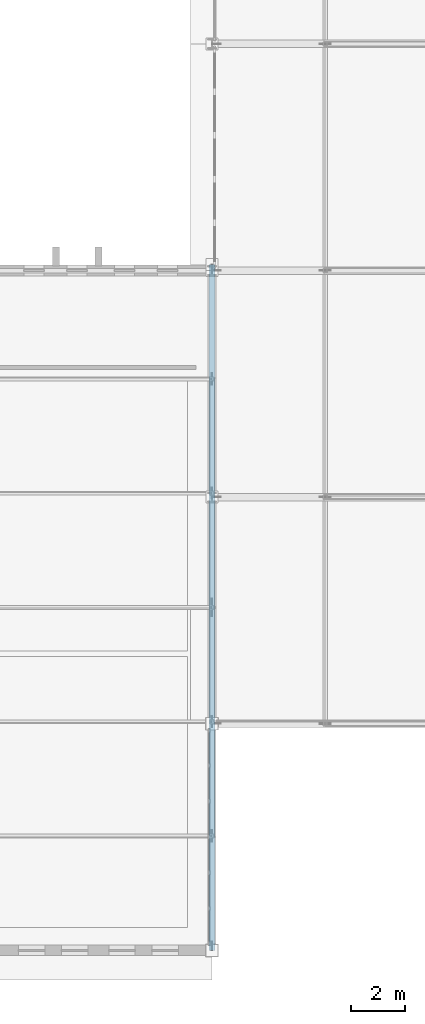
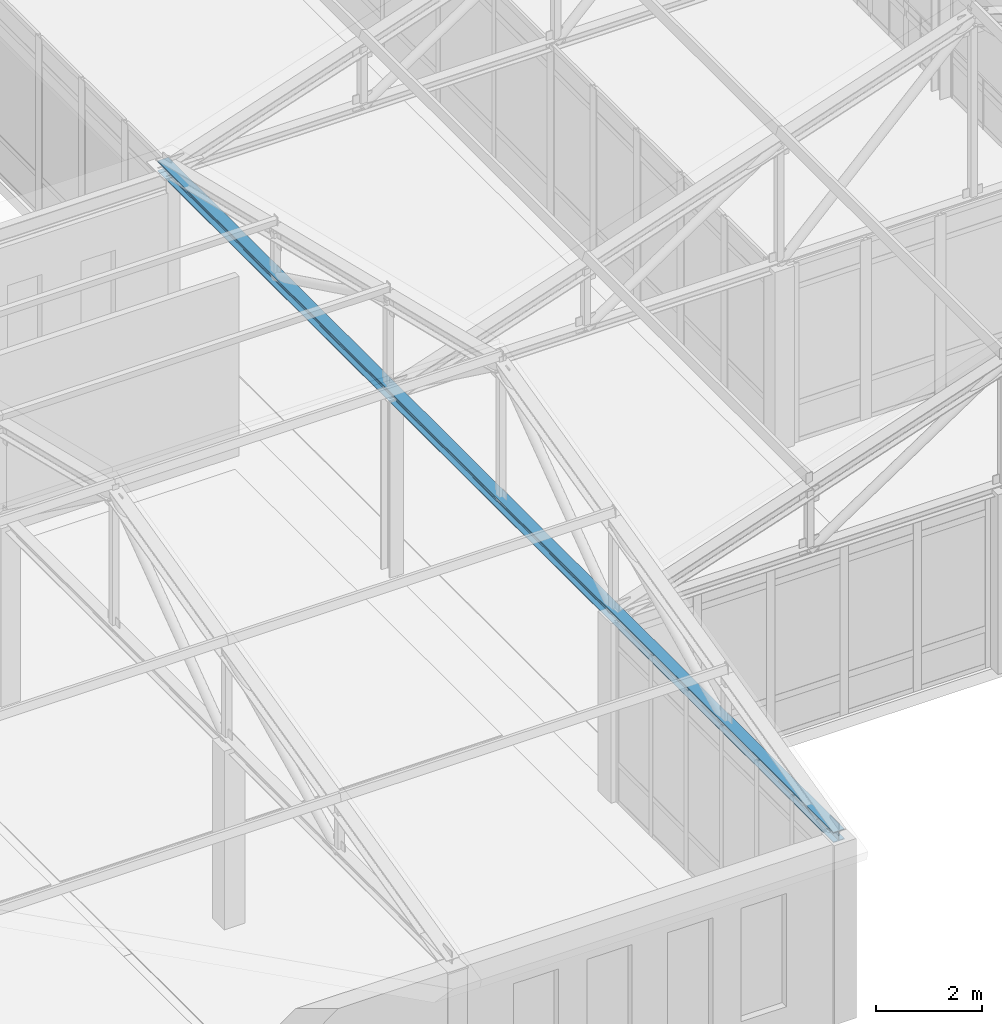
# One storey, part 32 of 192: 1 member.
"""IFC4 building model written with IfcOpenShell, lengths in metres."""

from ifc_helpers import new_model, si_unit, direction, frame, origin, origin_2d, place, context, subcontext, project, spatial, i_section, extrude, material, material_profile, profile_set, type_object, element, save


model = new_model("IFC4")

# Units and contexts
model_context = context("Model", 3, precision=1e-05, world=origin(), true_north=direction((0.0, 1.0)))
body_context = subcontext(model_context, "Body", "Model", "MODEL_VIEW")
ifc_project = project(units=[si_unit("LENGTHUNIT", "METRE"), si_unit("AREAUNIT", "SQUARE_METRE"), si_unit("VOLUMEUNIT", "CUBIC_METRE"), si_unit("PLANEANGLEUNIT", "RADIAN"), si_unit("MASSUNIT", "GRAM", prefix="KILO")], contexts=[model_context])

# Site, building, storey
site_placement = place(None, origin())
site = spatial("IfcSite", under=ifc_project, at=site_placement, CompositionType="ELEMENT")
building_placement = place(site_placement, origin())
building = spatial("IfcBuilding", under=site, at=building_placement, Name="Kveldsbrygga Polytechnic", CompositionType="ELEMENT")
storey_placement = place(building_placement, frame((0.0, 0.0, 5.43994140625)))
storey = spatial("IfcBuildingStorey", under=building, at=storey_placement, Name="L01", CompositionType="ELEMENT", Elevation=5.43994140625)

# Member
ifc_material = material(Name="Steel S355", Category="steel")
ifc_material_profile = material_profile(ifc_material, i_section(OverallWidth=0.239990234375, OverallDepth=0.239990234375, WebThickness=0.010009765625, FlangeThickness=0.01708984375, FilletRadius=0.02099609375, at=origin_2d()), Name="HEB 240")
ifc_profile_set = profile_set([ifc_material_profile], Name="Steel S355")
member_type = type_object("IfcMemberType", Name="TR-BOT-HEB240", PredefinedType="CHORD", material=ifc_profile_set)
member_placement = place(storey_placement, frame((50.39990234375, 0.0, 4.1201171875), z_axis=(0.0, 1.0, 0.0), x_axis=(-1.0, 0.0, 0.0)))
element("IfcMember", 1, at=member_placement, inside=storey, type_object=member_type, Name="Truss Bottom Chord V5S-T07-BC-1", PredefinedType="CHORD", context=body_context, shape_type="SweptSolid", body=[
    extrude(i_section(OverallWidth=0.239990234375, OverallDepth=0.239990234375, WebThickness=0.010009765625, FlangeThickness=0.01708984375, FilletRadius=0.02099609375, at=origin_2d()), origin(), (0.0, 0.0, 1.0), 25.419921875),
])

save(model, "model.ifc")
